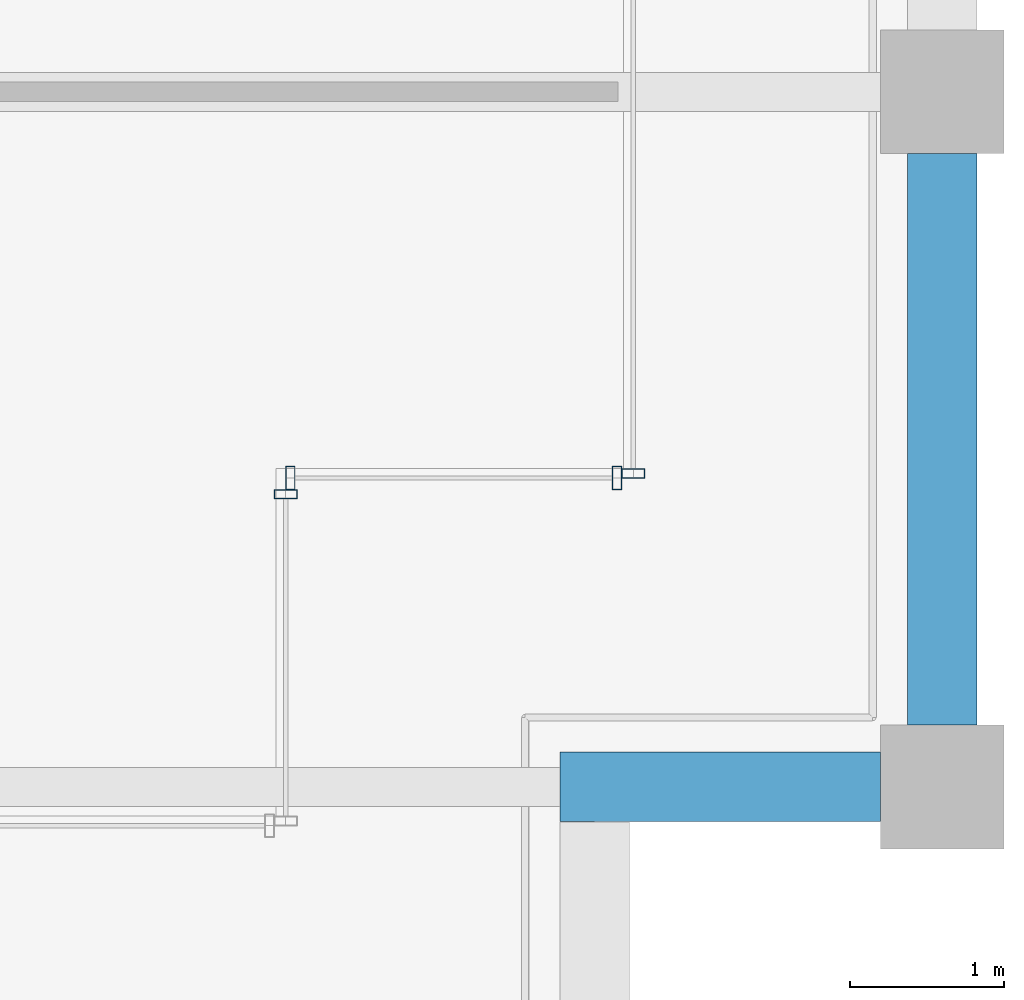
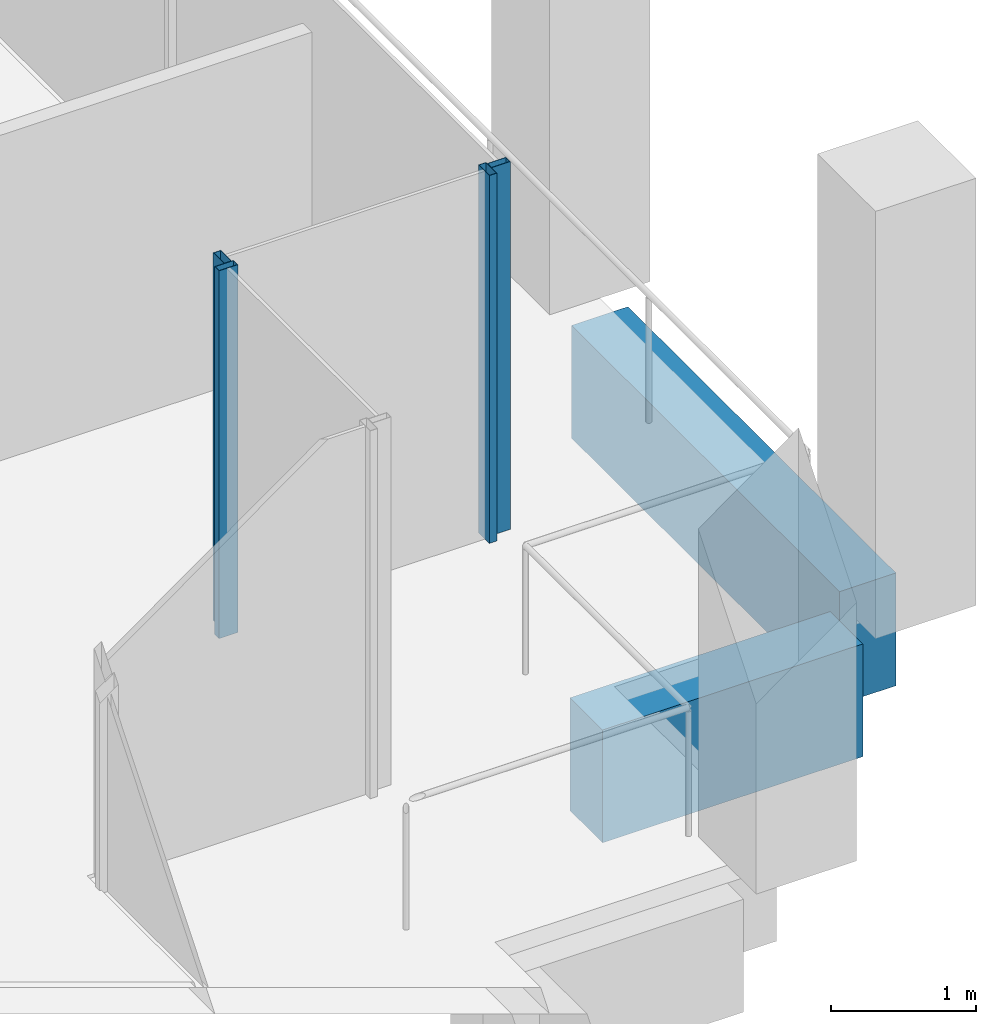
# One storey, part 13 of 30: 4 members, 2 beams, 3 elements without a shape of their own.
"""IFC4 building model written with IfcOpenShell, lengths in metres."""

from ifc_helpers import new_model, si_unit, direction, frame, origin, origin_2d, place, context, subcontext, project, spatial, rectangle, hollow_rectangle, extrude, material, material_profile, profile_set, type_object, element, aggregate, save


model = new_model("IFC4")

# Units and contexts
model_context = context("Model", 3, precision=1e-05, world=origin(), true_north=direction((0.0, 1.0)))
body_context = subcontext(model_context, "Body", "Model", "MODEL_VIEW")
ifc_project = project(units=[si_unit("LENGTHUNIT", "METRE"), si_unit("AREAUNIT", "SQUARE_METRE"), si_unit("VOLUMEUNIT", "CUBIC_METRE"), si_unit("PLANEANGLEUNIT", "RADIAN"), si_unit("MASSUNIT", "GRAM", prefix="KILO")], contexts=[model_context])

# Site, building, storey
site_placement = place(None, origin())
site = spatial("IfcSite", under=ifc_project, at=site_placement, CompositionType="ELEMENT")
building_placement = place(site_placement, origin())
building = spatial("IfcBuilding", under=site, at=building_placement, Name="Altepetl Exchange Towers", CompositionType="ELEMENT")
storey_placement = place(building_placement, frame((0.0, 0.0, 213.60009765625)))
storey = spatial("IfcBuildingStorey", under=building, at=storey_placement, Name="L54", CompositionType="ELEMENT", Elevation=213.60009765625)

# Curtain wall, member
ifc_material_1 = material(Name="Aluminium 6063-T6 glazing", Category="aluminium")
curtain_wall_type = type_object("IfcCurtainWallType", Name="Loggia glazing system", PredefinedType="NOTDEFINED", material=ifc_material_1)
curtain_wall_1_placement = place(storey_placement, origin())
curtain_wall_1 = element("IfcCurtainWall", 1, at=curtain_wall_1_placement, inside=storey, type_object=curtain_wall_type, Name="CW1 run", PredefinedType="NOTDEFINED")
ifc_material_2 = material(Name="Aluminium 6063-T6", Category="aluminium")
ifc_material_profile_1 = material_profile(ifc_material_2, hollow_rectangle(XDim=0.06005859375, YDim=0.14990234375, WallThickness=0.0029296875, at=origin_2d()), Name="Mullion 60x150 aluminium")
ifc_profile_set_1 = profile_set([ifc_material_profile_1], Name="Aluminium 6063-T6")
member_type = type_object("IfcMemberType", Name="Mullion 60x150 aluminium", PredefinedType="MULLION", material=ifc_profile_set_1)
member_1_placement = place(storey_placement, frame((67.75, 33.39501953125, 0.0), z_axis=(0.0, 0.0, 1.0), x_axis=(0.0, 1.0, 0.0)))
member_1 = element("IfcMember", 2, at=member_1_placement, type_object=member_type, Name="MU1 mullion", PredefinedType="MULLION", context=body_context, shape_type="SweptSolid", body=[
    extrude(hollow_rectangle(XDim=0.06005859375, YDim=0.14990234375, WallThickness=0.0029296875, at=origin_2d()), origin(), (0.0, 0.0, 1.0), 3.099853515625),
])
aggregate(curtain_wall_1, [member_1])

# Curtain wall, members
curtain_wall_2_placement = place(storey_placement, origin())
curtain_wall_2 = element("IfcCurtainWall", 3, at=curtain_wall_2_placement, inside=storey, type_object=curtain_wall_type, Name="CW1 run", PredefinedType="NOTDEFINED")
member_2_placement = place(storey_placement, frame((67.780029296875, 33.5, 0.0)))
member_2 = element("IfcMember", 4, at=member_2_placement, type_object=member_type, Name="MU1 mullion", PredefinedType="MULLION", context=body_context, shape_type="SweptSolid", body=[
    extrude(hollow_rectangle(XDim=0.06005859375, YDim=0.14990234375, WallThickness=0.0029296875, at=origin_2d()), origin(), (0.0, 0.0, 1.0), 3.099853515625),
])
member_3_placement = place(storey_placement, frame((69.89501953125, 33.5, 0.0)))
member_3 = element("IfcMember", 5, at=member_3_placement, type_object=member_type, Name="MU1 mullion", PredefinedType="MULLION", context=body_context, shape_type="SweptSolid", body=[
    extrude(hollow_rectangle(XDim=0.06005859375, YDim=0.14990234375, WallThickness=0.0029296875, at=origin_2d()), origin(), (0.0, 0.0, 1.0), 3.099853515625),
])
aggregate(curtain_wall_2, [member_2, member_3])

# Curtain wall, member
curtain_wall_3_placement = place(storey_placement, origin())
curtain_wall_3 = element("IfcCurtainWall", 6, at=curtain_wall_3_placement, inside=storey, type_object=curtain_wall_type, Name="CW1 run", PredefinedType="NOTDEFINED")
member_4_placement = place(storey_placement, frame((70.0, 33.530029296875, 0.0), z_axis=(0.0, 0.0, 1.0), x_axis=(0.0, 1.0, 0.0)))
member_4 = element("IfcMember", 7, at=member_4_placement, type_object=member_type, Name="MU1 mullion", PredefinedType="MULLION", context=body_context, shape_type="SweptSolid", body=[
    extrude(hollow_rectangle(XDim=0.06005859375, YDim=0.14990234375, WallThickness=0.0029296875, at=origin_2d()), origin(), (0.0, 0.0, 1.0), 3.099853515625),
])
aggregate(curtain_wall_3, [member_4])

# Beams
ifc_material_3 = material(Name="Concrete C50/60 precast with cantera amarilla facing", Category="concrete")
ifc_material_profile_2 = material_profile(ifc_material_3, rectangle(XDim=0.449951171875, YDim=0.949951171875, at=origin_2d()), Name="450 x 950")
ifc_profile_set_2 = profile_set([ifc_material_profile_2], Name="Concrete C50/60 precast with cantera amarilla facing")
beam_type = type_object("IfcBeamType", Name="Spandrel beam 450x950 cantera amarilla", PredefinedType="SPANDREL", material=ifc_profile_set_2)
beam_1_placement = place(storey_placement, frame((69.52490234375, 31.5, -0.625), z_axis=(1.0, 0.0, 0.0), x_axis=(0.0, 1.0, 0.0)))
element("IfcBeam", 8, at=beam_1_placement, inside=storey, type_object=beam_type, Name="sp:A:L54:011", PredefinedType="SPANDREL", context=body_context, shape_type="SweptSolid", body=[
    extrude(rectangle(XDim=0.449951171875, YDim=0.949951171875, at=origin_2d()), origin(), (0.0, 0.0, 1.0), 2.0751953125),
])
beam_2_placement = place(storey_placement, frame((72.0, 31.89990234375, -0.625), z_axis=(0.0, 1.0, 0.0), x_axis=(-1.0, 0.0, 0.0)))
element("IfcBeam", 9, at=beam_2_placement, inside=storey, type_object=beam_type, Name="sp:A:L54:012", PredefinedType="SPANDREL", context=body_context, shape_type="SweptSolid", body=[
    extrude(rectangle(XDim=0.449951171875, YDim=0.949951171875, at=origin_2d()), origin(), (0.0, 0.0, 1.0), 3.7001953125),
])

save(model, "model.ifc")
